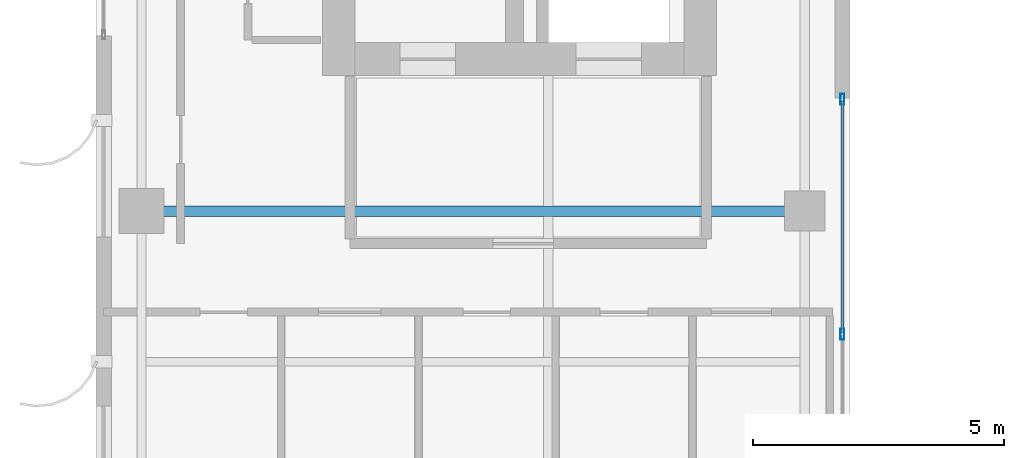
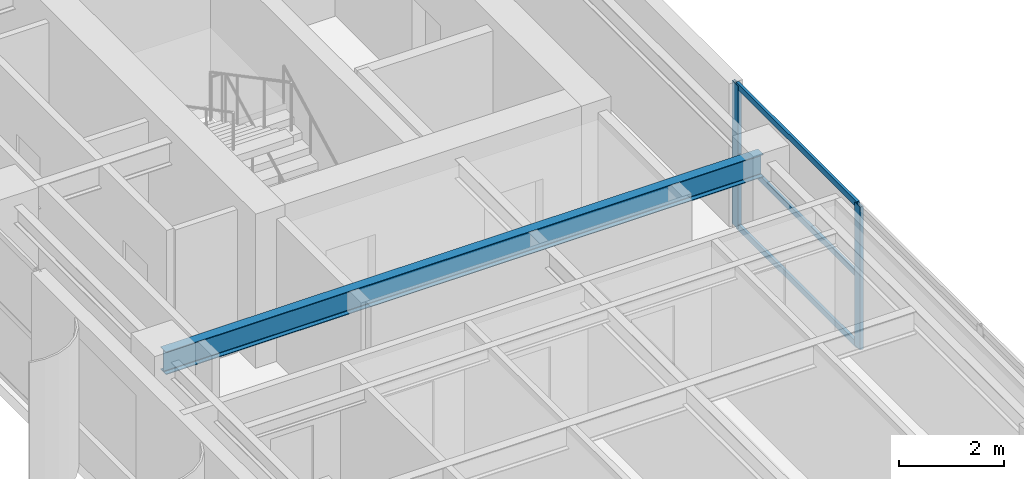
# One storey, part 4 of 22: 5 members, 1 beam, 1 element without a shape of its own.
"""IFC4 building model written with IfcOpenShell, lengths in metres."""

from ifc_helpers import new_model, si_unit, direction, frame, origin, origin_2d, place, context, subcontext, project, spatial, hollow_rectangle, i_section, extrude, source, transform, mapped, material, layer, layer_set, material_profile, profile_set, type_object, element, aggregate, save


model = new_model("IFC4")

# Units and contexts
model_context = context("Model", 3, precision=1e-05, world=origin(), true_north=direction((0.0, 1.0)))
body_context = subcontext(model_context, "Body", "Model", "MODEL_VIEW")
ifc_project = project(units=[si_unit("LENGTHUNIT", "METRE"), si_unit("AREAUNIT", "SQUARE_METRE"), si_unit("VOLUMEUNIT", "CUBIC_METRE"), si_unit("PLANEANGLEUNIT", "RADIAN"), si_unit("MASSUNIT", "GRAM", prefix="KILO")], contexts=[model_context])

# Site, building, storey
site_placement = place(None, origin())
site = spatial("IfcSite", under=ifc_project, at=site_placement, CompositionType="ELEMENT")
building_placement = place(site_placement, origin())
building = spatial("IfcBuilding", under=site, at=building_placement, Name="Khoralis Quay Care Tower", CompositionType="ELEMENT")
storey_placement = place(building_placement, frame((0.0, 0.0, 195.300048828125)))
storey = spatial("IfcBuildingStorey", under=building, at=storey_placement, Name="L51", CompositionType="ELEMENT", Elevation=195.300048828125)

# Beam
ifc_material_1 = material(Name="Steel S355", Category="steel")
ifc_material_profile_1 = material_profile(ifc_material_1, i_section(OverallWidth=0.208984375, OverallDepth=0.532958984375, WebThickness=0.01025390625, FlangeThickness=0.015625, FilletRadius=0.01611328125, at=origin_2d()), Name="Steel S355")
ifc_profile_set_1 = profile_set([ifc_material_profile_1], Name="Steel S355")
beam_type = type_object("IfcBeamType", Name="BM-W530X92", PredefinedType="BEAM", material=ifc_profile_set_1)
shared_shape_1 = source(origin(), body_context, "Body", "SweptSolid", [
    extrude(i_section(OverallWidth=0.208984375, OverallDepth=0.532958984375, WebThickness=0.01025390625, FlangeThickness=0.015625, FilletRadius=0.01611328125, at=origin_2d()), origin(), (0.0, 0.0, 1.0), 13.2001953125),
])
beam_placement = place(storey_placement, frame((3.89990234375, 12.0, 3.073486328125), z_axis=(1.0, 0.0, 0.0), x_axis=(0.0, 1.0, 0.0)))
element("IfcBeam", 1, at=beam_placement, inside=storey, type_object=beam_type, Name="BM-TGXW-L51-120", PredefinedType="BEAM", context=body_context, shape_type="MappedRepresentation", body=[
    mapped(shared_shape_1, transform((0.0, 0.0, 0.0), scale=1.0)),
])

# Curtain wall, members
ifc_material_2 = material(Name="Pale anodised aluminium", Category="aluminium")
ifc_layer = layer(ifc_material_2, 0.18994140625)
ifc_layer_set = layer_set([ifc_layer], Name="Pale anodised aluminium")
curtain_wall_type = type_object("IfcCurtainWallType", Name="CW-SYS-PORTAL", PredefinedType="NOTDEFINED", material=ifc_layer_set)
curtain_wall_placement = place(storey_placement, origin())
curtain_wall = element("IfcCurtainWall", 2, at=curtain_wall_placement, inside=storey, type_object=curtain_wall_type, Name="L51 Unitised Curtain Wall CW-VP-L51-P1-S", PredefinedType="NOTDEFINED")
ifc_material_profile_2 = material_profile(ifc_material_2, hollow_rectangle(XDim=0.06005859375, YDim=0.139892578125, WallThickness=0.00390625, at=origin_2d()), Name="Pale anodised aluminium")
ifc_profile_set_2 = profile_set([ifc_material_profile_2], Name="Pale anodised aluminium")
member_type_1 = type_object("IfcMemberType", Name="CW-TRN-140", PredefinedType="USERDEFINED", material=ifc_profile_set_2)
shared_shape_2 = source(origin(), body_context, "Body", "SweptSolid", [
    extrude(hollow_rectangle(XDim=0.06005859375, YDim=0.139892578125, WallThickness=0.00390625, at=origin_2d()), origin(), (0.0, 0.0, 1.0), 4.60986328125),
])
member_1_placement = place(storey_placement, frame((17.85009765625, 9.580078125, 0.030029296875), z_axis=(0.0, 1.0, 0.0), x_axis=(-1.0, 0.0, 0.0)))
member_1 = element("IfcMember", 3, at=member_1_placement, type_object=member_type_1, Name="CW4 transom 3.1", ObjectType="TRANSOM", PredefinedType="USERDEFINED", context=body_context, shape_type="MappedRepresentation", body=[
    mapped(shared_shape_2, transform((0.0, 0.0, 0.0), scale=1.0)),
])
member_2_placement = place(storey_placement, frame((17.85009765625, 9.580078125, 1.669921875), z_axis=(0.0, 1.0, 0.0), x_axis=(-1.0, 0.0, 0.0)))
member_2 = element("IfcMember", 4, at=member_2_placement, type_object=member_type_1, Name="CW4 transom 3.2", ObjectType="TRANSOM", PredefinedType="USERDEFINED", context=body_context, shape_type="MappedRepresentation", body=[
    mapped(shared_shape_2, transform((0.0, 0.0, 0.0), scale=1.0)),
])
member_3_placement = place(storey_placement, frame((17.85009765625, 9.580078125, 3.31005859375), z_axis=(0.0, 1.0, 0.0), x_axis=(-1.0, 0.0, 0.0)))
member_3 = element("IfcMember", 5, at=member_3_placement, type_object=member_type_1, Name="CW4 transom 3.3", ObjectType="TRANSOM", PredefinedType="USERDEFINED", context=body_context, shape_type="MappedRepresentation", body=[
    mapped(shared_shape_2, transform((0.0, 0.0, 0.0), scale=1.0)),
])
ifc_material_profile_3 = material_profile(ifc_material_2, hollow_rectangle(XDim=0.074951171875, YDim=0.219970703125, WallThickness=0.00390625, at=origin_2d()), Name="Pale anodised aluminium")
ifc_profile_set_3 = profile_set([ifc_material_profile_3], Name="Pale anodised aluminium")
member_type_2 = type_object("IfcMemberType", Name="CW-MUL-220", PredefinedType="MULLION", material=ifc_profile_set_3)
shared_shape_3 = source(origin(), body_context, "Body", "SweptSolid", [
    extrude(hollow_rectangle(XDim=0.074951171875, YDim=0.219970703125, WallThickness=0.00390625, at=origin_2d()), origin(), (0.0, 0.0, 1.0), 3.33984375),
])
member_4_placement = place(storey_placement, frame((17.85009765625, 9.550048828125, 0.0), z_axis=(0.0, 0.0, 1.0), x_axis=(-1.0, 0.0, 0.0)))
member_4 = element("IfcMember", 6, at=member_4_placement, type_object=member_type_2, Name="CW4 mullion 3", PredefinedType="MULLION", context=body_context, shape_type="MappedRepresentation", body=[
    mapped(shared_shape_3, transform((0.0, 0.0, 0.0), scale=1.0)),
])
member_5_placement = place(storey_placement, frame((17.85009765625, 14.219970703125, 0.0), z_axis=(0.0, 0.0, 1.0), x_axis=(-1.0, 0.0, 0.0)))
member_5 = element("IfcMember", 7, at=member_5_placement, type_object=member_type_2, Name="CW4 mullion 4", PredefinedType="MULLION", context=body_context, shape_type="MappedRepresentation", body=[
    mapped(shared_shape_3, transform((0.0, 0.0, 0.0), scale=1.0)),
])
aggregate(curtain_wall, [member_4, member_5, member_1, member_2, member_3])

save(model, "model.ifc")
